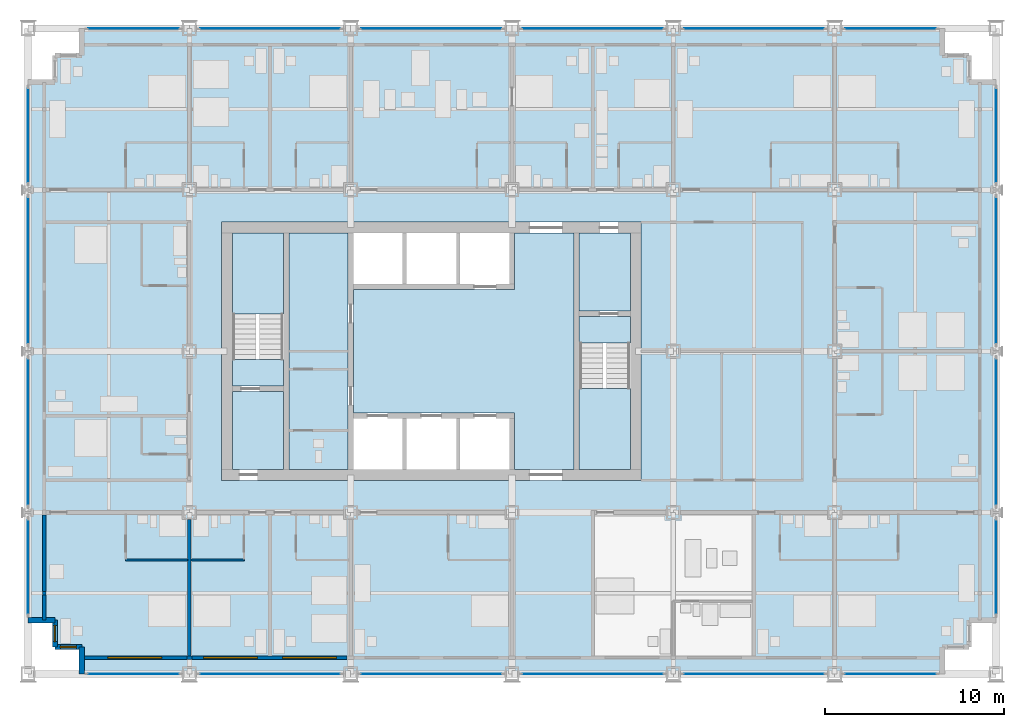
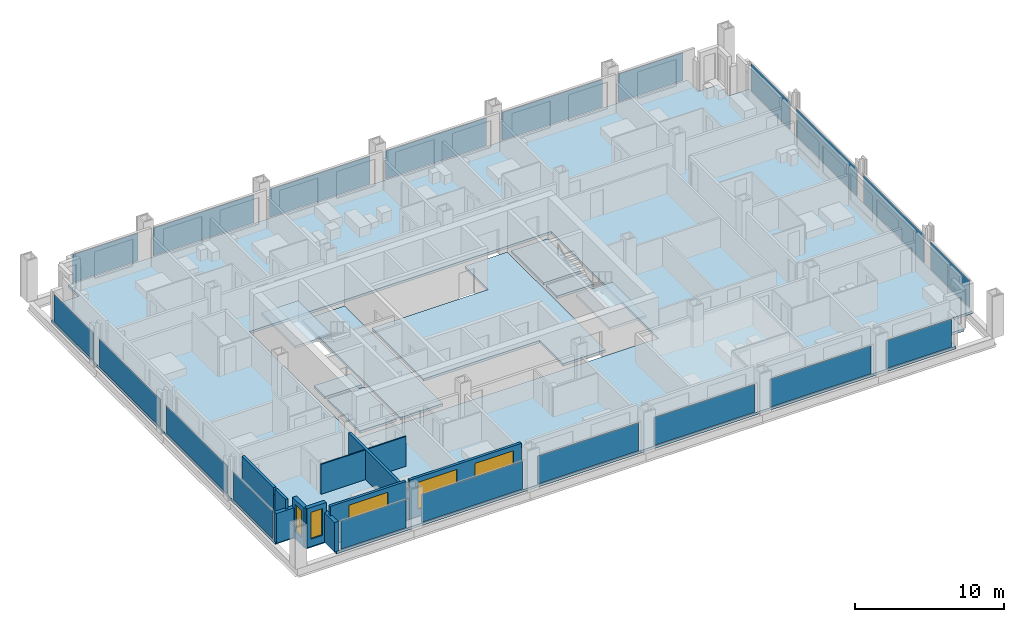
# One storey, part 9 of 18: 20 plates, 13 walls, 9 slabs, 5 windows, 5 openings, 22 elements without a shape of their own.
"""IFC4 building model written with IfcOpenShell, lengths in metres."""

from ifc_helpers import new_model, si_unit, direction, frame, frame_2d, origin, origin_2d, place, context, subcontext, project, spatial, polyline, rectangle, outline, extrude, material, layer, layer_set, type_object, element, fill, aggregate, save


model = new_model("IFC4")

# Units and contexts
model_context = context("Model", 3, precision=1e-05, world=origin(), true_north=direction((0.0, 1.0)))
body_context = subcontext(model_context, "Body", "Model", "MODEL_VIEW")
ifc_project = project(units=[si_unit("LENGTHUNIT", "METRE"), si_unit("AREAUNIT", "SQUARE_METRE"), si_unit("VOLUMEUNIT", "CUBIC_METRE"), si_unit("PLANEANGLEUNIT", "RADIAN"), si_unit("MASSUNIT", "GRAM", prefix="KILO")], contexts=[model_context])

# Site, building, storey
site_placement = place(None, origin())
site = spatial("IfcSite", under=ifc_project, at=site_placement, CompositionType="ELEMENT")
building_placement = place(site_placement, origin())
building = spatial("IfcBuilding", under=site, at=building_placement, Name="Loomwork Tower", CompositionType="ELEMENT")
storey_placement = place(building_placement, frame((0.0, 0.0, 38.199951171875)))
storey = spatial("IfcBuildingStorey", under=building, at=storey_placement, Name="L08", CompositionType="ELEMENT", Elevation=38.199951171875)

# Slabs
ifc_material_1 = material(Name="Concrete 5000 psi (34 MPa) on composite metal deck", Category="concrete")
ifc_layer_1 = layer(ifc_material_1, 0.199951171875)
ifc_layer_set_1 = layer_set([ifc_layer_1], Name="Floor slab 200")
slab_type_1 = type_object("IfcSlabType", Name="Floor slab 200", PredefinedType="FLOOR", material=ifc_layer_set_1)
slab_1_placement = place(storey_placement, frame((0.0, 0.0, -0.199951171875)))
element("IfcSlab", 1, at=slab_1_placement, inside=storey, type_object=slab_type_1, Name="Floor slab L08", PredefinedType="FLOOR", context=body_context, shape_type="SweptSolid", body=[
    extrude(outline(polyline([(3.0, 1.5), (1.5, 1.5), (1.5, 3.0), (0.0, 3.0), (0.0, 33.0), (1.5, 33.0), (1.5, 34.5), (3.0, 34.5), (3.0, 36.0), (51.0, 36.0), (51.0, 34.5), (52.5, 34.5), (52.5, 33.0), (54.0, 33.0), (54.0, 3.0), (52.5, 3.0), (52.5, 1.5), (51.0, 1.5), (51.0, 0.0), (3.0, 0.0), (3.0, 1.5)]), holes=[polyline([(10.800048828125, 11.39990234375), (10.800048828125, 11.39990234375), (10.800048828125, 10.800048828125), (34.199951171875, 10.800048828125), (34.199951171875, 11.39990234375), (34.199951171875, 11.39990234375), (34.199951171875, 24.60009765625), (34.199951171875, 25.199951171875), (10.800048828125, 25.199951171875), (10.800048828125, 24.60009765625), (10.800048828125, 11.39990234375)])]), origin(), (0.0, 0.0, 1.0), 0.199951171875),
])
slab_2_placement = place(storey_placement, frame((0.0, 0.0, -0.199951171875)))
element("IfcSlab", 2, at=slab_2_placement, inside=storey, type_object=slab_type_1, Name="Floor slab L08", PredefinedType="FLOOR", context=body_context, shape_type="SweptSolid", body=[
    extrude(outline(polyline([(30.449951171875, 24.60009765625), (30.449951171875, 11.39990234375), (27.14990234375, 11.39990234375), (27.14990234375, 14.25), (27.14990234375, 14.550048828125), (18.14990234375, 14.550048828125), (18.14990234375, 21.449951171875), (27.14990234375, 21.449951171875), (27.14990234375, 21.75), (27.14990234375, 24.60009765625), (30.449951171875, 24.60009765625)])), origin(), (0.0, 0.0, 1.0), 0.199951171875),
])
slab_3_placement = place(storey_placement, frame((0.0, 0.0, -0.199951171875)))
element("IfcSlab", 3, at=slab_3_placement, inside=storey, type_object=slab_type_1, Name="Floor slab L08", PredefinedType="FLOOR", context=body_context, shape_type="SweptSolid", body=[
    extrude(outline(polyline([(14.550048828125, 11.39990234375), (14.550048828125, 24.60009765625), (17.85009765625, 24.60009765625), (17.85009765625, 11.39990234375), (14.550048828125, 11.39990234375)])), origin(), (0.0, 0.0, 1.0), 0.199951171875),
])
slab_4_placement = place(storey_placement, frame((0.0, 0.0, -0.199951171875)))
element("IfcSlab", 4, at=slab_4_placement, inside=storey, type_object=slab_type_1, Name="Floor slab L08", PredefinedType="FLOOR", context=body_context, shape_type="SweptSolid", body=[
    extrude(outline(polyline([(33.60009765625, 20.25), (30.75, 20.25), (30.75, 24.60009765625), (33.60009765625, 24.60009765625), (33.60009765625, 20.25)])), origin(), (0.0, 0.0, 1.0), 0.199951171875),
])
slab_5_placement = place(storey_placement, frame((0.0, 0.0, -0.199951171875)))
element("IfcSlab", 5, at=slab_5_placement, inside=storey, type_object=slab_type_1, Name="Floor slab L08", PredefinedType="FLOOR", context=body_context, shape_type="SweptSolid", body=[
    extrude(outline(polyline([(14.25, 15.75), (14.25, 11.39990234375), (11.39990234375, 11.39990234375), (11.39990234375, 15.75), (14.25, 15.75)])), origin(), (0.0, 0.0, 1.0), 0.199951171875),
])

# Curtain wall, plate
ifc_material_2 = material(Name="Aluminium curtain wall frame", Category="aluminium")
curtain_wall_type = type_object("IfcCurtainWallType", Name="Outer skin glazing hotel", PredefinedType="NOTDEFINED", material=ifc_material_2)
curtain_wall_1_placement = place(storey_placement, origin())
curtain_wall_1 = element("IfcCurtainWall", 6, at=curtain_wall_1_placement, inside=storey, type_object=curtain_wall_type, Name="Outer skin glazing hotel cw/S-0", PredefinedType="NOTDEFINED")
ifc_material_3 = material(Name="Clear laminated glass", Category="glass")
ifc_layer_2 = layer(ifc_material_3, 0.02392578125)
ifc_layer_set_2 = layer_set([ifc_layer_2], Name="Outer skin glazing hotel panel")
plate_type = type_object("IfcPlateType", Name="Outer skin glazing hotel panel", PredefinedType="CURTAIN_PANEL", material=ifc_layer_set_2)
plate_1_placement = place(storey_placement, frame((5.875, 0.0, 0.06494140625), z_axis=(0.0, 0.0, 1.0), x_axis=(1.0, 0.0, 0.0)))
plate_1 = element("IfcPlate", 7, at=plate_1_placement, type_object=plate_type, Name="CW1 panel 1.1", PredefinedType="CURTAIN_PANEL", context=body_context, shape_type="SweptSolid", body=[
    extrude(rectangle(XDim=5.050048828125, YDim=0.02392578125, at=origin_2d()), origin(), (0.0, 0.0, 1.0), 2.290283203125),
])
aggregate(curtain_wall_1, [plate_1])

curtain_wall_2_placement = place(storey_placement, origin())
curtain_wall_2 = element("IfcCurtainWall", 8, at=curtain_wall_2_placement, inside=storey, type_object=curtain_wall_type, Name="Outer skin glazing hotel cw/S-9", PredefinedType="NOTDEFINED")
plate_2_placement = place(storey_placement, frame((13.5, 0.0, 0.06494140625), z_axis=(0.0, 0.0, 1.0), x_axis=(1.0, 0.0, 0.0)))
plate_2 = element("IfcPlate", 9, at=plate_2_placement, type_object=plate_type, Name="CW1 panel 1.1", PredefinedType="CURTAIN_PANEL", context=body_context, shape_type="SweptSolid", body=[
    extrude(rectangle(XDim=7.800048828125, YDim=0.02392578125, at=origin_2d()), origin(), (0.0, 0.0, 1.0), 2.290283203125),
])
aggregate(curtain_wall_2, [plate_2])

curtain_wall_3_placement = place(storey_placement, origin())
curtain_wall_3 = element("IfcCurtainWall", 10, at=curtain_wall_3_placement, inside=storey, type_object=curtain_wall_type, Name="Outer skin glazing hotel cw/S-18", PredefinedType="NOTDEFINED")
plate_3_placement = place(storey_placement, frame((22.5, 0.0, 0.06494140625), z_axis=(0.0, 0.0, 1.0), x_axis=(1.0, 0.0, 0.0)))
plate_3 = element("IfcPlate", 11, at=plate_3_placement, type_object=plate_type, Name="CW1 panel 1.1", PredefinedType="CURTAIN_PANEL", context=body_context, shape_type="SweptSolid", body=[
    extrude(rectangle(XDim=7.800048828125, YDim=0.02392578125, at=origin_2d()), origin(), (0.0, 0.0, 1.0), 2.290283203125),
])
aggregate(curtain_wall_3, [plate_3])

curtain_wall_4_placement = place(storey_placement, origin())
curtain_wall_4 = element("IfcCurtainWall", 12, at=curtain_wall_4_placement, inside=storey, type_object=curtain_wall_type, Name="Outer skin glazing hotel cw/S-27", PredefinedType="NOTDEFINED")
plate_4_placement = place(storey_placement, frame((31.5, 0.0, 0.06494140625), z_axis=(0.0, 0.0, 1.0), x_axis=(1.0, 0.0, 0.0)))
plate_4 = element("IfcPlate", 13, at=plate_4_placement, type_object=plate_type, Name="CW1 panel 1.1", PredefinedType="CURTAIN_PANEL", context=body_context, shape_type="SweptSolid", body=[
    extrude(rectangle(XDim=7.800048828125, YDim=0.02392578125, at=origin_2d()), origin(), (0.0, 0.0, 1.0), 2.290283203125),
])
aggregate(curtain_wall_4, [plate_4])

curtain_wall_5_placement = place(storey_placement, origin())
curtain_wall_5 = element("IfcCurtainWall", 14, at=curtain_wall_5_placement, inside=storey, type_object=curtain_wall_type, Name="Outer skin glazing hotel cw/S-36", PredefinedType="NOTDEFINED")
plate_5_placement = place(storey_placement, frame((40.5, 0.0, 0.06494140625), z_axis=(0.0, 0.0, 1.0), x_axis=(1.0, 0.0, 0.0)))
plate_5 = element("IfcPlate", 15, at=plate_5_placement, type_object=plate_type, Name="CW1 panel 1.1", PredefinedType="CURTAIN_PANEL", context=body_context, shape_type="SweptSolid", body=[
    extrude(rectangle(XDim=7.800048828125, YDim=0.02392578125, at=origin_2d()), origin(), (0.0, 0.0, 1.0), 2.290283203125),
])
aggregate(curtain_wall_5, [plate_5])

curtain_wall_6_placement = place(storey_placement, origin())
curtain_wall_6 = element("IfcCurtainWall", 16, at=curtain_wall_6_placement, inside=storey, type_object=curtain_wall_type, Name="Outer skin glazing hotel cw/S-45", PredefinedType="NOTDEFINED")
plate_6_placement = place(storey_placement, frame((48.125, 0.0, 0.06494140625), z_axis=(0.0, 0.0, 1.0), x_axis=(1.0, 0.0, 0.0)))
plate_6 = element("IfcPlate", 17, at=plate_6_placement, type_object=plate_type, Name="CW1 panel 1.1", PredefinedType="CURTAIN_PANEL", context=body_context, shape_type="SweptSolid", body=[
    extrude(rectangle(XDim=5.050048828125, YDim=0.02392578125, at=origin_2d()), origin(), (0.0, 0.0, 1.0), 2.290283203125),
])
aggregate(curtain_wall_6, [plate_6])

curtain_wall_7_placement = place(storey_placement, origin())
curtain_wall_7 = element("IfcCurtainWall", 18, at=curtain_wall_7_placement, inside=storey, type_object=curtain_wall_type, Name="Outer skin glazing hotel cw/N-0", PredefinedType="NOTDEFINED")
plate_7_placement = place(storey_placement, frame((5.875, 36.0, 0.06494140625), z_axis=(0.0, 0.0, 1.0), x_axis=(-1.0, 0.0, 0.0)))
plate_7 = element("IfcPlate", 19, at=plate_7_placement, type_object=plate_type, Name="CW1 panel 1.1", PredefinedType="CURTAIN_PANEL", context=body_context, shape_type="SweptSolid", body=[
    extrude(rectangle(XDim=5.050048828125, YDim=0.02392578125, at=origin_2d()), origin(), (0.0, 0.0, 1.0), 2.290283203125),
])
aggregate(curtain_wall_7, [plate_7])

curtain_wall_8_placement = place(storey_placement, origin())
curtain_wall_8 = element("IfcCurtainWall", 20, at=curtain_wall_8_placement, inside=storey, type_object=curtain_wall_type, Name="Outer skin glazing hotel cw/N-9", PredefinedType="NOTDEFINED")
plate_8_placement = place(storey_placement, frame((13.5, 36.0, 0.06494140625), z_axis=(0.0, 0.0, 1.0), x_axis=(-1.0, 0.0, 0.0)))
plate_8 = element("IfcPlate", 21, at=plate_8_placement, type_object=plate_type, Name="CW1 panel 1.1", PredefinedType="CURTAIN_PANEL", context=body_context, shape_type="SweptSolid", body=[
    extrude(rectangle(XDim=7.800048828125, YDim=0.02392578125, at=origin_2d()), origin(), (0.0, 0.0, 1.0), 2.290283203125),
])
aggregate(curtain_wall_8, [plate_8])

curtain_wall_9_placement = place(storey_placement, origin())
curtain_wall_9 = element("IfcCurtainWall", 22, at=curtain_wall_9_placement, inside=storey, type_object=curtain_wall_type, Name="Outer skin glazing hotel cw/N-18", PredefinedType="NOTDEFINED")
plate_9_placement = place(storey_placement, frame((22.5, 36.0, 0.06494140625), z_axis=(0.0, 0.0, 1.0), x_axis=(-1.0, 0.0, 0.0)))
plate_9 = element("IfcPlate", 23, at=plate_9_placement, type_object=plate_type, Name="CW1 panel 1.1", PredefinedType="CURTAIN_PANEL", context=body_context, shape_type="SweptSolid", body=[
    extrude(rectangle(XDim=7.800048828125, YDim=0.02392578125, at=origin_2d()), origin(), (0.0, 0.0, 1.0), 2.290283203125),
])
aggregate(curtain_wall_9, [plate_9])

curtain_wall_10_placement = place(storey_placement, origin())
curtain_wall_10 = element("IfcCurtainWall", 24, at=curtain_wall_10_placement, inside=storey, type_object=curtain_wall_type, Name="Outer skin glazing hotel cw/N-27", PredefinedType="NOTDEFINED")
plate_10_placement = place(storey_placement, frame((31.5, 36.0, 0.06494140625), z_axis=(0.0, 0.0, 1.0), x_axis=(-1.0, 0.0, 0.0)))
plate_10 = element("IfcPlate", 25, at=plate_10_placement, type_object=plate_type, Name="CW1 panel 1.1", PredefinedType="CURTAIN_PANEL", context=body_context, shape_type="SweptSolid", body=[
    extrude(rectangle(XDim=7.800048828125, YDim=0.02392578125, at=origin_2d()), origin(), (0.0, 0.0, 1.0), 2.290283203125),
])
aggregate(curtain_wall_10, [plate_10])

curtain_wall_11_placement = place(storey_placement, origin())
curtain_wall_11 = element("IfcCurtainWall", 26, at=curtain_wall_11_placement, inside=storey, type_object=curtain_wall_type, Name="Outer skin glazing hotel cw/N-36", PredefinedType="NOTDEFINED")
plate_11_placement = place(storey_placement, frame((40.5, 36.0, 0.06494140625), z_axis=(0.0, 0.0, 1.0), x_axis=(-1.0, 0.0, 0.0)))
plate_11 = element("IfcPlate", 27, at=plate_11_placement, type_object=plate_type, Name="CW1 panel 1.1", PredefinedType="CURTAIN_PANEL", context=body_context, shape_type="SweptSolid", body=[
    extrude(rectangle(XDim=7.800048828125, YDim=0.02392578125, at=origin_2d()), origin(), (0.0, 0.0, 1.0), 2.290283203125),
])
aggregate(curtain_wall_11, [plate_11])

curtain_wall_12_placement = place(storey_placement, origin())
curtain_wall_12 = element("IfcCurtainWall", 28, at=curtain_wall_12_placement, inside=storey, type_object=curtain_wall_type, Name="Outer skin glazing hotel cw/N-45", PredefinedType="NOTDEFINED")
plate_12_placement = place(storey_placement, frame((48.125, 36.0, 0.06494140625), z_axis=(0.0, 0.0, 1.0), x_axis=(-1.0, 0.0, 0.0)))
plate_12 = element("IfcPlate", 29, at=plate_12_placement, type_object=plate_type, Name="CW1 panel 1.1", PredefinedType="CURTAIN_PANEL", context=body_context, shape_type="SweptSolid", body=[
    extrude(rectangle(XDim=5.050048828125, YDim=0.02392578125, at=origin_2d()), origin(), (0.0, 0.0, 1.0), 2.290283203125),
])
aggregate(curtain_wall_12, [plate_12])

curtain_wall_13_placement = place(storey_placement, origin())
curtain_wall_13 = element("IfcCurtainWall", 30, at=curtain_wall_13_placement, inside=storey, type_object=curtain_wall_type, Name="Outer skin glazing hotel cw/W-0", PredefinedType="NOTDEFINED")
plate_13_placement = place(storey_placement, frame((0.0, 5.95556640625, 0.06494140625), z_axis=(0.0, 0.0, 1.0), x_axis=(0.0, -1.0, 0.0)))
plate_13 = element("IfcPlate", 31, at=plate_13_placement, type_object=plate_type, Name="CW1 panel 1.1", PredefinedType="CURTAIN_PANEL", context=body_context, shape_type="SweptSolid", body=[
    extrude(rectangle(XDim=5.211181640625, YDim=0.02392578125, at=origin_2d()), origin(), (0.0, 0.0, 1.0), 2.290283203125),
])
aggregate(curtain_wall_13, [plate_13])

curtain_wall_14_placement = place(storey_placement, origin())
curtain_wall_14 = element("IfcCurtainWall", 32, at=curtain_wall_14_placement, inside=storey, type_object=curtain_wall_type, Name="Outer skin glazing hotel cw/W-9", PredefinedType="NOTDEFINED")
plate_14_placement = place(storey_placement, frame((0.0, 13.5, 0.06494140625), z_axis=(0.0, 0.0, 1.0), x_axis=(0.0, -1.0, 0.0)))
plate_14 = element("IfcPlate", 33, at=plate_14_placement, type_object=plate_type, Name="CW1 panel 1.1", PredefinedType="CURTAIN_PANEL", context=body_context, shape_type="SweptSolid", body=[
    extrude(rectangle(XDim=8.122314453125, YDim=0.02392578125, at=origin_2d()), origin(), (0.0, 0.0, 1.0), 2.290283203125),
])
aggregate(curtain_wall_14, [plate_14])

curtain_wall_15_placement = place(storey_placement, origin())
curtain_wall_15 = element("IfcCurtainWall", 34, at=curtain_wall_15_placement, inside=storey, type_object=curtain_wall_type, Name="Outer skin glazing hotel cw/W-18", PredefinedType="NOTDEFINED")
plate_15_placement = place(storey_placement, frame((0.0, 22.5, 0.06494140625), z_axis=(0.0, 0.0, 1.0), x_axis=(0.0, -1.0, 0.0)))
plate_15 = element("IfcPlate", 35, at=plate_15_placement, type_object=plate_type, Name="CW1 panel 1.1", PredefinedType="CURTAIN_PANEL", context=body_context, shape_type="SweptSolid", body=[
    extrude(rectangle(XDim=8.122314453125, YDim=0.02392578125, at=origin_2d()), origin(), (0.0, 0.0, 1.0), 2.290283203125),
])
aggregate(curtain_wall_15, [plate_15])

curtain_wall_16_placement = place(storey_placement, origin())
curtain_wall_16 = element("IfcCurtainWall", 36, at=curtain_wall_16_placement, inside=storey, type_object=curtain_wall_type, Name="Outer skin glazing hotel cw/W-27", PredefinedType="NOTDEFINED")
plate_16_placement = place(storey_placement, frame((0.0, 30.04443359375, 0.06494140625), z_axis=(0.0, 0.0, 1.0), x_axis=(0.0, -1.0, 0.0)))
plate_16 = element("IfcPlate", 37, at=plate_16_placement, type_object=plate_type, Name="CW1 panel 1.1", PredefinedType="CURTAIN_PANEL", context=body_context, shape_type="SweptSolid", body=[
    extrude(rectangle(XDim=5.211181640625, YDim=0.02392578125, at=origin_2d()), origin(), (0.0, 0.0, 1.0), 2.290283203125),
])
aggregate(curtain_wall_16, [plate_16])

curtain_wall_17_placement = place(storey_placement, origin())
curtain_wall_17 = element("IfcCurtainWall", 38, at=curtain_wall_17_placement, inside=storey, type_object=curtain_wall_type, Name="Outer skin glazing hotel cw/E-0", PredefinedType="NOTDEFINED")
plate_17_placement = place(storey_placement, frame((54.0, 5.95556640625, 0.06494140625), z_axis=(0.0, 0.0, 1.0), x_axis=(0.0, 1.0, 0.0)))
plate_17 = element("IfcPlate", 39, at=plate_17_placement, type_object=plate_type, Name="CW1 panel 1.1", PredefinedType="CURTAIN_PANEL", context=body_context, shape_type="SweptSolid", body=[
    extrude(rectangle(XDim=5.211181640625, YDim=0.02392578125, at=origin_2d()), origin(), (0.0, 0.0, 1.0), 2.290283203125),
])
aggregate(curtain_wall_17, [plate_17])

curtain_wall_18_placement = place(storey_placement, origin())
curtain_wall_18 = element("IfcCurtainWall", 40, at=curtain_wall_18_placement, inside=storey, type_object=curtain_wall_type, Name="Outer skin glazing hotel cw/E-9", PredefinedType="NOTDEFINED")
plate_18_placement = place(storey_placement, frame((54.0, 13.5, 0.06494140625), z_axis=(0.0, 0.0, 1.0), x_axis=(0.0, 1.0, 0.0)))
plate_18 = element("IfcPlate", 41, at=plate_18_placement, type_object=plate_type, Name="CW1 panel 1.1", PredefinedType="CURTAIN_PANEL", context=body_context, shape_type="SweptSolid", body=[
    extrude(rectangle(XDim=8.122314453125, YDim=0.02392578125, at=origin_2d()), origin(), (0.0, 0.0, 1.0), 2.290283203125),
])
aggregate(curtain_wall_18, [plate_18])

curtain_wall_19_placement = place(storey_placement, origin())
curtain_wall_19 = element("IfcCurtainWall", 42, at=curtain_wall_19_placement, inside=storey, type_object=curtain_wall_type, Name="Outer skin glazing hotel cw/E-18", PredefinedType="NOTDEFINED")
plate_19_placement = place(storey_placement, frame((54.0, 22.5, 0.06494140625), z_axis=(0.0, 0.0, 1.0), x_axis=(0.0, 1.0, 0.0)))
plate_19 = element("IfcPlate", 43, at=plate_19_placement, type_object=plate_type, Name="CW1 panel 1.1", PredefinedType="CURTAIN_PANEL", context=body_context, shape_type="SweptSolid", body=[
    extrude(rectangle(XDim=8.122314453125, YDim=0.02392578125, at=origin_2d()), origin(), (0.0, 0.0, 1.0), 2.290283203125),
])
aggregate(curtain_wall_19, [plate_19])

curtain_wall_20_placement = place(storey_placement, origin())
curtain_wall_20 = element("IfcCurtainWall", 44, at=curtain_wall_20_placement, inside=storey, type_object=curtain_wall_type, Name="Outer skin glazing hotel cw/E-27", PredefinedType="NOTDEFINED")
plate_20_placement = place(storey_placement, frame((54.0, 30.04443359375, 0.06494140625), z_axis=(0.0, 0.0, 1.0), x_axis=(0.0, 1.0, 0.0)))
plate_20 = element("IfcPlate", 45, at=plate_20_placement, type_object=plate_type, Name="CW1 panel 1.1", PredefinedType="CURTAIN_PANEL", context=body_context, shape_type="SweptSolid", body=[
    extrude(rectangle(XDim=5.211181640625, YDim=0.02392578125, at=origin_2d()), origin(), (0.0, 0.0, 1.0), 2.290283203125),
])
aggregate(curtain_wall_20, [plate_20])

# Stair, slabs
ifc_material_4 = material(Name="Concrete 5000 psi (34 MPa) precast stair", Category="concrete")
stair_type_1 = type_object("IfcStairType", Name="Stair ST-A 20 risers 2850 wide", PredefinedType="HALF_TURN_STAIR", material=ifc_material_4)
stair_1_placement = place(storey_placement, origin())
stair_1 = element("IfcStair", 46, at=stair_1_placement, inside=storey, type_object=stair_type_1, Name="Stair A L08", PredefinedType="HALF_TURN_STAIR")
ifc_material_5 = material(Name="Concrete 5000 psi (34 MPa)", Category="concrete")
ifc_layer_3 = layer(ifc_material_5, 0.199951171875)
ifc_layer_set_3 = layer_set([ifc_layer_3], Name="Stair landing 200")
slab_type_2 = type_object("IfcSlabType", Name="Stair landing 200", PredefinedType="LANDING", material=ifc_layer_set_3)
slab_6_placement = place(storey_placement, frame((0.0, 0.0, -0.199951171875)))
slab_6 = element("IfcSlab", 47, at=slab_6_placement, type_object=slab_type_2, Name="ST-A landing 1", PredefinedType="LANDING", context=body_context, shape_type="SweptSolid", body=[
    extrude(outline(polyline([(11.39990234375, 16.050048828125), (14.25, 16.050048828125), (14.25, 17.550048828125), (11.39990234375, 17.550048828125), (11.39990234375, 16.050048828125)])), origin(), (0.0, 0.0, 1.0), 0.199951171875),
])
slab_7_placement = place(storey_placement, frame((0.0, 0.0, 1.5)))
slab_7 = element("IfcSlab", 48, at=slab_7_placement, type_object=slab_type_2, Name="ST-A landing 2", PredefinedType="LANDING", context=body_context, shape_type="SweptSolid", body=[
    extrude(outline(polyline([(11.39990234375, 20.070068359375), (14.25, 20.070068359375), (14.25, 24.60009765625), (11.39990234375, 24.60009765625), (11.39990234375, 20.070068359375)])), origin(), (0.0, 0.0, 1.0), 0.199951171875),
])
aggregate(stair_1, [slab_6, slab_7])

ifc_material_6 = material(Name="Concrete 5000 psi (34 MPa) precast stair", Category="concrete")
stair_type_2 = type_object("IfcStairType", Name="Stair ST-B 20 risers 2850 wide", PredefinedType="HALF_TURN_STAIR", material=ifc_material_6)
stair_2_placement = place(storey_placement, origin())
stair_2 = element("IfcStair", 49, at=stair_2_placement, inside=storey, type_object=stair_type_2, Name="Stair B L08", PredefinedType="HALF_TURN_STAIR")
slab_8_placement = place(storey_placement, frame((0.0, 0.0, -0.199951171875)))
slab_8 = element("IfcSlab", 50, at=slab_8_placement, type_object=slab_type_2, Name="ST-B landing 1", PredefinedType="LANDING", context=body_context, shape_type="SweptSolid", body=[
    extrude(outline(polyline([(30.75, 18.449951171875), (33.60009765625, 18.449951171875), (33.60009765625, 19.949951171875), (30.75, 19.949951171875), (30.75, 18.449951171875)])), origin(), (0.0, 0.0, 1.0), 0.199951171875),
])
slab_9_placement = place(storey_placement, frame((0.0, 0.0, 1.5)))
slab_9 = element("IfcSlab", 51, at=slab_9_placement, type_object=slab_type_2, Name="ST-B landing 2", PredefinedType="LANDING", context=body_context, shape_type="SweptSolid", body=[
    extrude(outline(polyline([(30.75, 11.39990234375), (33.60009765625, 11.39990234375), (33.60009765625, 15.929931640625), (30.75, 15.929931640625), (30.75, 11.39990234375)])), origin(), (0.0, 0.0, 1.0), 0.199951171875),
])
aggregate(stair_2, [slab_8, slab_9])

# Walls
ifc_material_7 = material(Name="Cement board on steel studs", Category="steel")
ifc_layer_4 = layer(ifc_material_7, 0.10009765625)
ifc_layer_set_4 = layer_set([ifc_layer_4], Name="En-suite partition 100")
wall_type_1 = type_object("IfcWallType", Name="En-suite partition 100", PredefinedType="PARTITIONING", material=ifc_layer_set_4)
wall_1_placement = place(storey_placement, frame((5.449951171875, 6.35009765625, 0.0), z_axis=(0.0, 0.0, 1.0), x_axis=(1.0, 0.0, 0.0)))
element("IfcWall", 52, at=wall_1_placement, inside=storey, type_object=wall_type_1, Name="En-suite wall L08 room 1", PredefinedType="PARTITIONING", context=body_context, shape_type="SweptSolid", body=[
    extrude(rectangle(XDim=3.449951171875, YDim=0.10009765625, at=frame_2d((1.72509765625, 0.0))), origin(), (0.0, 0.0, 1.0), 2.43798828125),
])
wall_2_placement = place(storey_placement, frame((9.10009765625, 6.35009765625, 0.0), z_axis=(0.0, 0.0, 1.0), x_axis=(1.0, 0.0, 0.0)))
element("IfcWall", 53, at=wall_2_placement, inside=storey, type_object=wall_type_1, Name="En-suite wall L08 room 2", PredefinedType="PARTITIONING", context=body_context, shape_type="SweptSolid", body=[
    extrude(rectangle(XDim=2.949951171875, YDim=0.10009765625, at=frame_2d((1.47509765625, 0.0))), origin(), (0.0, 0.0, 1.0), 2.43798828125),
])
ifc_material_8 = material(Name="Gypsum board on steel studs, acoustic", Category="steel")
ifc_layer_5 = layer(ifc_material_8, 0.199951171875)
ifc_layer_set_5 = layer_set([ifc_layer_5], Name="Guest room party wall 200")
wall_type_2 = type_object("IfcWallType", Name="Guest room party wall 200", PredefinedType="PARTITIONING", material=ifc_layer_set_5)
wall_3_placement = place(storey_placement, frame((9.0, 8.60009765625, 0.0), z_axis=(0.0, 0.0, 1.0), x_axis=(0.0, -1.0, 0.0)))
element("IfcWall", 54, at=wall_3_placement, inside=storey, type_object=wall_type_2, Name="Guest room party wall S 9", PredefinedType="PARTITIONING", context=body_context, shape_type="SweptSolid", body=[
    extrude(rectangle(XDim=7.60009765625, YDim=0.199951171875, at=frame_2d((3.800048828125, 0.0))), origin(), (0.0, 0.0, 1.0), 2.43798828125),
])

# Wall, opening, window
ifc_material_9 = material(Name="Insulated steel stud wall with gypsum lining", Category="steel")
ifc_layer_6 = layer(ifc_material_9, 0.199951171875)
ifc_layer_set_6 = layer_set([ifc_layer_6], Name="Inner skin wall 200")
wall_type_3 = type_object("IfcWallType", Name="Inner skin wall 200", PredefinedType="SOLIDWALL", material=ifc_layer_set_6)
wall_4_placement = place(storey_placement, frame((3.0, 0.89990234375, 0.0), z_axis=(0.0, 0.0, 1.0), x_axis=(1.0, 0.0, 0.0)))
wall_4 = element("IfcWall", 55, at=wall_4_placement, inside=storey, type_object=wall_type_3, Name="Inner skin wall S", PredefinedType="SOLIDWALL", context=body_context, shape_type="SweptSolid", body=[
    extrude(rectangle(XDim=5.86474609375, YDim=0.199951171875, at=frame_2d((2.932373046875, 0.0))), origin(), (0.0, 0.0, 1.0), 3.199951171875),
])
opening_1_placement = place(wall_4_placement, frame((1.449951171875, 0.0, 0.60009765625)))
opening_1 = element("IfcOpeningElement", 56, at=opening_1_placement, cuts=wall_4, Name="Opening CH1", PredefinedType="OPENING", context=body_context, shape_type="SweptSolid", body=[
    extrude(rectangle(XDim=3.0, YDim=2.199951171875, at=frame_2d((1.5, 1.10009765625))), frame((0.0, 0.10986328125, 0.0), z_axis=(0.0, -1.0, 0.0), x_axis=(1.0, 0.0, 0.0)), (0.0, 0.0, 1.0), 0.219970703125),
])
ifc_material_10 = material(Name="Aluminium frame with clear insulated glass", Category="aluminium")
window_type_1 = type_object("IfcWindowType", Name="Chicago window 3000", PartitioningType="TRIPLE_PANEL_VERTICAL", PredefinedType="WINDOW", material=ifc_material_10)
window_1_placement = place(opening_1_placement, origin())
window_1 = element("IfcWindow", 57, at=window_1_placement, inside=storey, type_object=window_type_1, Name="Chicago window L08 bay 1", OverallHeight=2.199951171875, OverallWidth=3.0, PartitioningType="TRIPLE_PANEL_VERTICAL", PredefinedType="WINDOW", context=body_context, shape_type="SweptSolid", body=[
    extrude(rectangle(XDim=3.0, YDim=2.199951171875, at=frame_2d((1.5, 1.10009765625))), frame((0.0, 0.030029296875, 0.0), z_axis=(0.0, -1.0, 0.0), x_axis=(1.0, 0.0, 0.0)), (0.0, 0.0, 1.0), 0.06005859375),
])
fill(opening_1, window_1)

# Walls
wall_5_placement = place(storey_placement, frame((0.89990234375, 3.0, 0.0), z_axis=(0.0, 0.0, 1.0), x_axis=(0.0, 1.0, 0.0)))
element("IfcWall", 58, at=wall_5_placement, inside=storey, type_object=wall_type_3, Name="Inner skin wall W", PredefinedType="SOLIDWALL", context=body_context, shape_type="SweptSolid", body=[
    extrude(rectangle(XDim=1.392578125, YDim=0.199951171875, at=frame_2d((0.6962890625, 0.0))), origin(), (0.0, 0.0, 1.0), 3.199951171875),
])
wall_6_placement = place(storey_placement, frame((8.86474609375, 0.89990234375, 0.0), z_axis=(0.0, 0.0, 1.0), x_axis=(1.0, 0.0, 0.0)))
element("IfcWall", 59, at=wall_6_placement, inside=storey, type_object=wall_type_3, Name="Inner skin wall S bay 2", PredefinedType="SOLIDWALL", context=body_context, shape_type="SweptSolid", body=[
    extrude(rectangle(XDim=0.2705078125, YDim=0.199951171875, at=frame_2d((0.13525390625, 0.0))), origin(), (0.0, 0.0, 1.0), 2.43798828125),
])

# Wall, openings, windows
wall_7_placement = place(storey_placement, frame((9.13525390625, 0.89990234375, 0.0), z_axis=(0.0, 0.0, 1.0), x_axis=(1.0, 0.0, 0.0)))
wall_7 = element("IfcWall", 60, at=wall_7_placement, inside=storey, type_object=wall_type_3, Name="Inner skin wall S bay 3", PredefinedType="SOLIDWALL", context=body_context, shape_type="SweptSolid", body=[
    extrude(rectangle(XDim=8.6708984375, YDim=0.199951171875, at=frame_2d((4.33544921875, 0.0))), origin(), (0.0, 0.0, 1.0), 3.199951171875),
])
opening_2_placement = place(wall_7_placement, frame((0.664794921875, 0.0, 0.60009765625)))
opening_2 = element("IfcOpeningElement", 61, at=opening_2_placement, cuts=wall_7, Name="Opening CH1", PredefinedType="OPENING", context=body_context, shape_type="SweptSolid", body=[
    extrude(rectangle(XDim=3.0, YDim=2.199951171875, at=frame_2d((1.5, 1.10009765625))), frame((0.0, 0.10986328125, 0.0), z_axis=(0.0, -1.0, 0.0), x_axis=(1.0, 0.0, 0.0)), (0.0, 0.0, 1.0), 0.219970703125),
])
opening_3_placement = place(wall_7_placement, frame((5.064697265625, 0.0, 0.60009765625)))
opening_3 = element("IfcOpeningElement", 62, at=opening_3_placement, cuts=wall_7, Name="Opening CH1", PredefinedType="OPENING", context=body_context, shape_type="SweptSolid", body=[
    extrude(rectangle(XDim=3.0, YDim=2.199951171875, at=frame_2d((1.5, 1.10009765625))), frame((0.0, 0.10986328125, 0.0), z_axis=(0.0, -1.0, 0.0), x_axis=(1.0, 0.0, 0.0)), (0.0, 0.0, 1.0), 0.219970703125),
])
window_2_placement = place(opening_2_placement, origin())
window_2 = element("IfcWindow", 63, at=window_2_placement, inside=storey, type_object=window_type_1, Name="Chicago window L08 bay 2", OverallHeight=2.199951171875, OverallWidth=3.0, PartitioningType="TRIPLE_PANEL_VERTICAL", PredefinedType="WINDOW", context=body_context, shape_type="SweptSolid", body=[
    extrude(rectangle(XDim=3.0, YDim=2.199951171875, at=frame_2d((1.5, 1.10009765625))), frame((0.0, 0.030029296875, 0.0), z_axis=(0.0, -1.0, 0.0), x_axis=(1.0, 0.0, 0.0)), (0.0, 0.0, 1.0), 0.06005859375),
])
fill(opening_2, window_2)
window_3_placement = place(opening_3_placement, origin())
window_3 = element("IfcWindow", 64, at=window_3_placement, inside=storey, type_object=window_type_1, Name="Chicago window L08 bay 2", OverallHeight=2.199951171875, OverallWidth=3.0, PartitioningType="TRIPLE_PANEL_VERTICAL", PredefinedType="WINDOW", context=body_context, shape_type="SweptSolid", body=[
    extrude(rectangle(XDim=3.0, YDim=2.199951171875, at=frame_2d((1.5, 1.10009765625))), frame((0.0, 0.030029296875, 0.0), z_axis=(0.0, -1.0, 0.0), x_axis=(1.0, 0.0, 0.0)), (0.0, 0.0, 1.0), 0.06005859375),
])
fill(opening_3, window_3)

# Walls
wall_8_placement = place(storey_placement, frame((0.89990234375, 4.392578125, 0.0), z_axis=(0.0, 0.0, 1.0), x_axis=(0.0, 1.0, 0.0)))
element("IfcWall", 65, at=wall_8_placement, inside=storey, type_object=wall_type_3, Name="Inner skin wall W bay 2", PredefinedType="SOLIDWALL", context=body_context, shape_type="SweptSolid", body=[
    extrude(rectangle(XDim=0.21484375, YDim=0.199951171875, at=frame_2d((0.107421875, 0.0))), origin(), (0.0, 0.0, 1.0), 2.6611328125),
])
wall_9_placement = place(storey_placement, frame((0.89990234375, 4.607421875, 0.0), z_axis=(0.0, 0.0, 1.0), x_axis=(0.0, 1.0, 0.0)))
element("IfcWall", 66, at=wall_9_placement, inside=storey, type_object=wall_type_3, Name="Inner skin wall W bay 3", PredefinedType="SOLIDWALL", context=body_context, shape_type="SweptSolid", body=[
    extrude(rectangle(XDim=4.25732421875, YDim=0.199951171875, at=frame_2d((2.128662109375, 0.0))), origin(), (0.0, 0.0, 1.0), 3.199951171875),
])
ifc_material_11 = material(Name="Limestone on concrete masonry", Category="masonry")
ifc_layer_7 = layer(ifc_material_11, 0.300048828125)
ifc_layer_set_7 = layer_set([ifc_layer_7], Name="Limestone corner wall 300")
wall_type_4 = type_object("IfcWallType", Name="Limestone corner wall 300", PredefinedType="SOLIDWALL", material=ifc_layer_set_7)
wall_10_placement = place(storey_placement, frame((0.0, 3.0, 0.0), z_axis=(0.0, 0.0, 1.0), x_axis=(1.0, 0.0, 0.0)))
element("IfcWall", 67, at=wall_10_placement, inside=storey, type_object=wall_type_4, Name="Stone corner wall SW 1", PredefinedType="SOLIDWALL", context=body_context, shape_type="SweptSolid", body=[
    extrude(rectangle(XDim=1.5, YDim=0.300048828125, at=frame_2d((0.75, 0.0))), origin(), (0.0, 0.0, 1.0), 2.420166015625),
])

# Wall, opening, window
wall_11_placement = place(storey_placement, frame((1.5, 3.0, 0.0), z_axis=(0.0, 0.0, 1.0), x_axis=(0.0, -1.0, 0.0)))
wall_11 = element("IfcWall", 68, at=wall_11_placement, inside=storey, type_object=wall_type_4, Name="Stone corner wall SW 2", PredefinedType="SOLIDWALL", context=body_context, shape_type="SweptSolid", body=[
    extrude(rectangle(XDim=1.5, YDim=0.300048828125, at=frame_2d((0.75, 0.0))), origin(), (0.0, 0.0, 1.0), 3.199951171875),
])
opening_4_placement = place(wall_11_placement, frame((0.300048828125, 0.0, 0.60009765625)))
opening_4 = element("IfcOpeningElement", 69, at=opening_4_placement, cuts=wall_11, Name="Opening CH2", PredefinedType="OPENING", context=body_context, shape_type="SweptSolid", body=[
    extrude(rectangle(XDim=0.89990234375, YDim=2.199951171875, at=frame_2d((0.449951171875, 1.10009765625))), frame((0.0, 0.159912109375, 0.0), z_axis=(0.0, -1.0, 0.0), x_axis=(1.0, 0.0, 0.0)), (0.0, 0.0, 1.0), 0.320068359375),
])
ifc_material_12 = material(Name="Aluminium frame with clear insulated glass", Category="aluminium")
window_type_2 = type_object("IfcWindowType", Name="Corner window 900", PartitioningType="SINGLE_PANEL", PredefinedType="WINDOW", material=ifc_material_12)
window_4_placement = place(opening_4_placement, origin())
window_4 = element("IfcWindow", 70, at=window_4_placement, inside=storey, type_object=window_type_2, Name="Corner window SW", OverallHeight=2.199951171875, OverallWidth=0.89990234375, PartitioningType="SINGLE_PANEL", PredefinedType="WINDOW", context=body_context, shape_type="SweptSolid", body=[
    extrude(rectangle(XDim=0.89990234375, YDim=2.199951171875, at=frame_2d((0.449951171875, 1.10009765625))), frame((0.0, 0.030029296875, 0.0), z_axis=(0.0, -1.0, 0.0), x_axis=(1.0, 0.0, 0.0)), (0.0, 0.0, 1.0), 0.06005859375),
])
fill(opening_4, window_4)

wall_12_placement = place(storey_placement, frame((1.5, 1.5, 0.0), z_axis=(0.0, 0.0, 1.0), x_axis=(1.0, 0.0, 0.0)))
wall_12 = element("IfcWall", 71, at=wall_12_placement, inside=storey, type_object=wall_type_4, Name="Stone corner wall SW 3", PredefinedType="SOLIDWALL", context=body_context, shape_type="SweptSolid", body=[
    extrude(rectangle(XDim=1.5, YDim=0.300048828125, at=frame_2d((0.75, 0.0))), origin(), (0.0, 0.0, 1.0), 3.199951171875),
])
opening_5_placement = place(wall_12_placement, frame((0.300048828125, 0.0, 0.60009765625)))
opening_5 = element("IfcOpeningElement", 72, at=opening_5_placement, cuts=wall_12, Name="Opening CH2", PredefinedType="OPENING", context=body_context, shape_type="SweptSolid", body=[
    extrude(rectangle(XDim=0.89990234375, YDim=2.199951171875, at=frame_2d((0.449951171875, 1.10009765625))), frame((0.0, 0.159912109375, 0.0), z_axis=(0.0, -1.0, 0.0), x_axis=(1.0, 0.0, 0.0)), (0.0, 0.0, 1.0), 0.320068359375),
])
window_5_placement = place(opening_5_placement, origin())
window_5 = element("IfcWindow", 73, at=window_5_placement, inside=storey, type_object=window_type_2, Name="Corner window SW", OverallHeight=2.199951171875, OverallWidth=0.89990234375, PartitioningType="SINGLE_PANEL", PredefinedType="WINDOW", context=body_context, shape_type="SweptSolid", body=[
    extrude(rectangle(XDim=0.89990234375, YDim=2.199951171875, at=frame_2d((0.449951171875, 1.10009765625))), frame((0.0, 0.030029296875, 0.0), z_axis=(0.0, -1.0, 0.0), x_axis=(1.0, 0.0, 0.0)), (0.0, 0.0, 1.0), 0.06005859375),
])
fill(opening_5, window_5)

# Wall
wall_13_placement = place(storey_placement, frame((3.0, 1.5, 0.0), z_axis=(0.0, 0.0, 1.0), x_axis=(0.0, -1.0, 0.0)))
element("IfcWall", 74, at=wall_13_placement, inside=storey, type_object=wall_type_4, Name="Stone corner wall SW 4", PredefinedType="SOLIDWALL", context=body_context, shape_type="SweptSolid", body=[
    extrude(rectangle(XDim=1.5, YDim=0.300048828125, at=frame_2d((0.75, 0.0))), origin(), (0.0, 0.0, 1.0), 2.420166015625),
])

save(model, "model.ifc")
